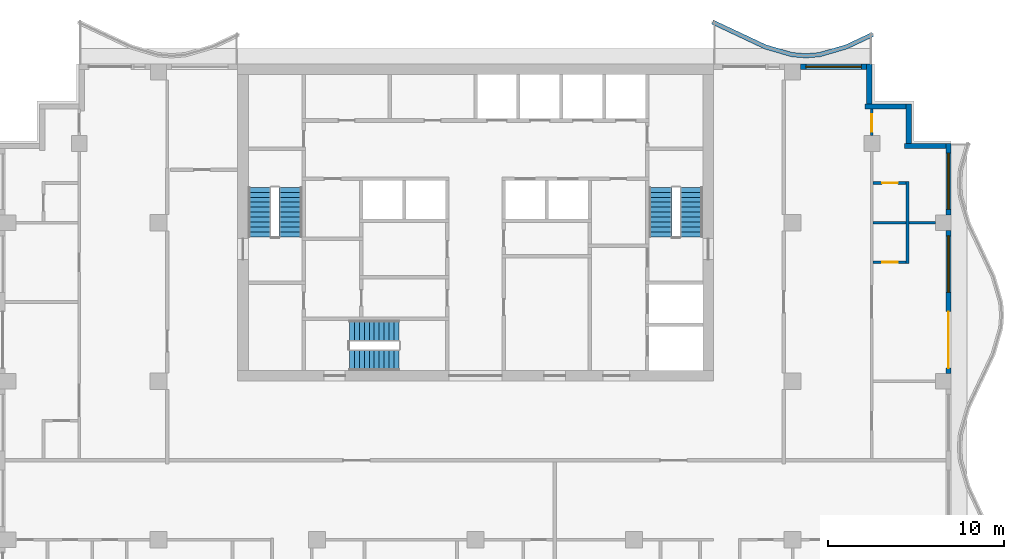
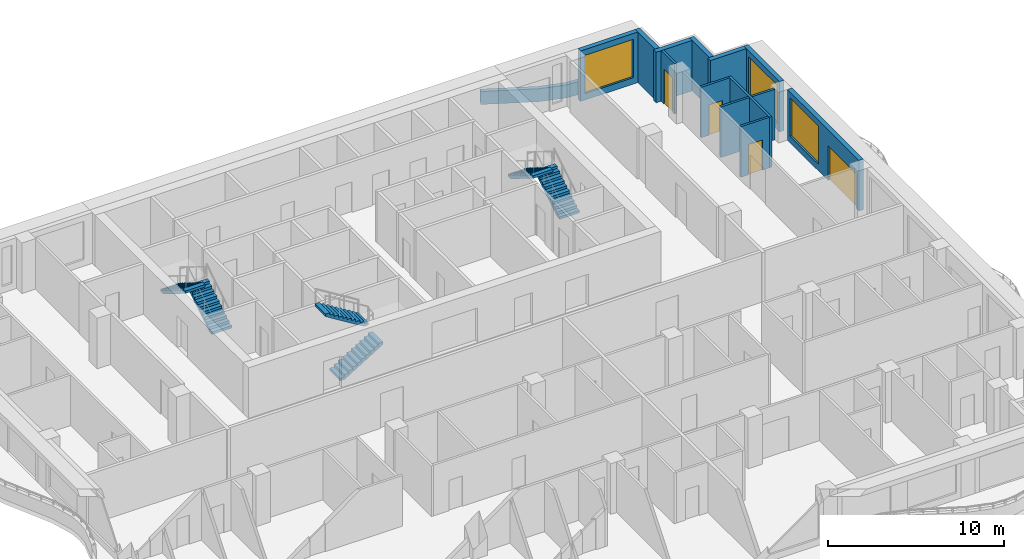
# One storey, part 7 of 11: 14 walls, 6 stair flights, 4 doors, 3 windows, 7 openings, 3 elements without a shape of their own.
"""IFC4 building model written with IfcOpenShell, lengths in metres."""

from ifc_helpers import new_model, si_unit, direction, frame, frame_2d, origin, place, context, subcontext, project, spatial, polyline, rectangle, outline, extrude, material, layer, layer_set, type_object, element, fill, aggregate, save


model = new_model("IFC4")

# Units and contexts
model_context = context("Model", 3, precision=1e-05, world=origin(), true_north=direction((0.0, 1.0)))
body_context = subcontext(model_context, "Body", "Model", "MODEL_VIEW")
ifc_project = project(units=[si_unit("LENGTHUNIT", "METRE"), si_unit("AREAUNIT", "SQUARE_METRE"), si_unit("VOLUMEUNIT", "CUBIC_METRE"), si_unit("PLANEANGLEUNIT", "RADIAN"), si_unit("MASSUNIT", "GRAM", prefix="KILO")], contexts=[model_context])

# Site, building, storey
site_placement = place(None, origin())
site = spatial("IfcSite", under=ifc_project, at=site_placement, CompositionType="ELEMENT")
building_placement = place(site_placement, origin())
building = spatial("IfcBuilding", under=site, at=building_placement, Name="Orbiselva Terraces", CompositionType="ELEMENT")
storey_placement = place(building_placement, frame((0.0, 0.0, 257.8)))
storey = spatial("IfcBuildingStorey", under=building, at=storey_placement, Name="L65", CompositionType="ELEMENT", Elevation=257.8)

# Wall
ifc_material_1 = material(Name="Concrete C40/50", Category="concrete")
ifc_layer_1 = layer(ifc_material_1, 0.25)
ifc_layer_set_1 = layer_set([ifc_layer_1], Name="Concrete C40/50")
wall_type_1 = type_object("IfcWallType", Name="ENV-PLANTER-250x900", PredefinedType="USERDEFINED", material=ifc_layer_set_1)
wall_1_placement = place(storey_placement, origin())
element("IfcWall", 1, at=wall_1_placement, inside=storey, type_object=wall_type_1, Name="Balcony planter L65 NE", ObjectType="PLANTER", PredefinedType="USERDEFINED", context=body_context, shape_type="SweptSolid", body=[
    extrude(outline(polyline([(22.5, 24.3), (21.0, 23.594658), (19.5, 23.158732), (18.75, 23.1), (18.0, 23.158732), (16.5, 23.594658), (15.0, 24.3), (13.5, 25.005342), (13.393617, 24.779106), (14.893617, 24.073764), (16.411382, 23.360069), (17.954886, 22.911499), (18.75, 22.849235), (19.545114, 22.911499), (21.088618, 23.360069), (22.606383, 24.073764), (22.5, 24.3)])), origin(), (0.0, 0.0, 1.0), 0.9),
])

# Wall, openings, door, window
ifc_material_2 = material(Name="Terracotta cladding on masonry backing", Category="masonry")
ifc_layer_2 = layer(ifc_material_2, 0.3)
ifc_layer_set_2 = layer_set([ifc_layer_2], Name="Terracotta cladding on masonry backing")
wall_type_2 = type_object("IfcWallType", Name="ENV-WALL-TERRACOTTA-300", PredefinedType="SOLIDWALL", material=ifc_layer_set_2)
wall_2_placement = place(storey_placement, frame((26.85, 13.05, 0.0), z_axis=(0.0, 0.0, 1.0), x_axis=(0.0, -1.0, 0.0)))
wall_2 = element("IfcWall", 2, at=wall_2_placement, inside=storey, type_object=wall_type_2, Name="Facade wall L65 E", PredefinedType="SOLIDWALL", context=body_context, shape_type="SweptSolid", body=[
    extrude(rectangle(XDim=8.1, YDim=0.3, at=frame_2d((4.05, 0.0))), origin(), (0.0, 0.0, 1.0), 3.5),
])
opening_1_placement = place(wall_2_placement, frame((4.6, 0.0, 0.0)))
opening_1 = element("IfcOpeningElement", 3, at=opening_1_placement, cuts=wall_2, Name="Opening Z5-B-E19", PredefinedType="OPENING", context=body_context, shape_type="SweptSolid", body=[
    extrude(rectangle(XDim=3.2, YDim=2.4, at=frame_2d((1.6, 1.2))), frame((0.0, 0.16, 0.0), z_axis=(0.0, -1.0, 0.0), x_axis=(1.0, 0.0, 0.0)), (0.0, 0.0, 1.0), 0.32),
])
opening_2_placement = place(wall_2_placement, frame((0.3, 0.0, 0.45)))
opening_2 = element("IfcOpeningElement", 4, at=opening_2_placement, cuts=wall_2, Name="Opening WN17", PredefinedType="OPENING", context=body_context, shape_type="SweptSolid", body=[
    extrude(rectangle(XDim=3.2, YDim=2.65, at=frame_2d((1.6, 1.325))), frame((0.0, 0.16, 0.0), z_axis=(0.0, -1.0, 0.0), x_axis=(1.0, 0.0, 0.0)), (0.0, 0.0, 1.0), 0.32),
])
ifc_material_3 = material(Name="Clear low-e glazing in aluminium frame", Category="aluminium")
door_type_1 = type_object("IfcDoorType", Name="BALCONY DOOR 3200 X 2400", OperationType="DOUBLE_DOOR_SLIDING", PredefinedType="DOOR", material=ifc_material_3)
door_1_placement = place(opening_1_placement, origin())
door_1 = element("IfcDoor", 5, at=door_1_placement, inside=storey, type_object=door_type_1, Name="Z5-B-E19", OperationType="SINGLE_SWING_LEFT", OverallHeight=2.4, OverallWidth=3.2, PredefinedType="DOOR", context=body_context, shape_type="SweptSolid", body=[
    extrude(rectangle(XDim=3.2, YDim=2.4, at=frame_2d((1.6, 1.2))), frame((0.0, 0.025, 0.0), z_axis=(0.0, -1.0, 0.0), x_axis=(1.0, 0.0, 0.0)), (0.0, 0.0, 1.0), 0.05),
])
fill(opening_1, door_1)
window_type_1 = type_object("IfcWindowType", Name="WINDOW 3200 X 2650 S450", PartitioningType="TRIPLE_PANEL_VERTICAL", PredefinedType="WINDOW", material=ifc_material_3)
window_1_placement = place(opening_2_placement, origin())
window_1 = element("IfcWindow", 6, at=window_1_placement, inside=storey, type_object=window_type_1, Name="Window L65 E", OverallHeight=2.65, OverallWidth=3.2, PartitioningType="SINGLE_PANEL", PredefinedType="WINDOW", context=body_context, shape_type="SweptSolid", body=[
    extrude(rectangle(XDim=3.2, YDim=2.65, at=frame_2d((1.6, 1.325))), frame((0.0, 0.03, 0.0), z_axis=(0.0, -1.0, 0.0), x_axis=(1.0, 0.0, 0.0)), (0.0, 0.0, 1.0), 0.06),
])
fill(opening_2, window_1)

# Wall, opening, window
wall_3_placement = place(storey_placement, frame((26.85, 18.0, 0.0), z_axis=(0.0, 0.0, 1.0), x_axis=(0.0, -1.0, 0.0)))
wall_3 = element("IfcWall", 7, at=wall_3_placement, inside=storey, type_object=wall_type_2, Name="Facade wall L65 E", PredefinedType="SOLIDWALL", context=body_context, shape_type="SweptSolid", body=[
    extrude(rectangle(XDim=4.05, YDim=0.3, at=frame_2d((2.025, 0.0))), origin(), (0.0, 0.0, 1.0), 3.5),
])
opening_3_placement = place(wall_3_placement, frame((0.55, 0.0, 0.45)))
opening_3 = element("IfcOpeningElement", 8, at=opening_3_placement, cuts=wall_3, Name="Opening WN17", PredefinedType="OPENING", context=body_context, shape_type="SweptSolid", body=[
    extrude(rectangle(XDim=3.2, YDim=2.65, at=frame_2d((1.6, 1.325))), frame((0.0, 0.16, 0.0), z_axis=(0.0, -1.0, 0.0), x_axis=(1.0, 0.0, 0.0)), (0.0, 0.0, 1.0), 0.32),
])
window_2_placement = place(opening_3_placement, origin())
window_2 = element("IfcWindow", 9, at=window_2_placement, inside=storey, type_object=window_type_1, Name="Window L65 E", OverallHeight=2.65, OverallWidth=3.2, PartitioningType="SINGLE_PANEL", PredefinedType="WINDOW", context=body_context, shape_type="SweptSolid", body=[
    extrude(rectangle(XDim=3.2, YDim=2.65, at=frame_2d((1.6, 1.325))), frame((0.0, 0.03, 0.0), z_axis=(0.0, -1.0, 0.0), x_axis=(1.0, 0.0, 0.0)), (0.0, 0.0, 1.0), 0.06),
])
fill(opening_3, window_2)

# Walls
wall_4_placement = place(storey_placement, frame((24.35, 17.85, 0.0), z_axis=(0.0, 0.0, 1.0), x_axis=(1.0, 0.0, 0.0)))
element("IfcWall", 10, at=wall_4_placement, inside=storey, type_object=wall_type_2, Name="Facade wall L65 STEP", PredefinedType="SOLIDWALL", context=body_context, shape_type="SweptSolid", body=[
    extrude(rectangle(XDim=2.35, YDim=0.3, at=frame_2d((1.175, 0.0))), origin(), (0.0, 0.0, 1.0), 3.5),
])
wall_5_placement = place(storey_placement, frame((24.6, 20.25, 0.0), z_axis=(0.0, 0.0, 1.0), x_axis=(0.0, -1.0, 0.0)))
element("IfcWall", 11, at=wall_5_placement, inside=storey, type_object=wall_type_2, Name="Facade wall L65 STEP", PredefinedType="SOLIDWALL", context=body_context, shape_type="SweptSolid", body=[
    extrude(rectangle(XDim=2.25, YDim=0.3, at=frame_2d((1.125, 0.0))), origin(), (0.0, 0.0, 1.0), 3.5),
])
wall_6_placement = place(storey_placement, frame((22.1, 20.1, 0.0), z_axis=(0.0, 0.0, 1.0), x_axis=(1.0, 0.0, 0.0)))
element("IfcWall", 12, at=wall_6_placement, inside=storey, type_object=wall_type_2, Name="Facade wall L65 STEP", PredefinedType="SOLIDWALL", context=body_context, shape_type="SweptSolid", body=[
    extrude(rectangle(XDim=2.35, YDim=0.3, at=frame_2d((1.175, 0.0))), origin(), (0.0, 0.0, 1.0), 3.5),
])
wall_7_placement = place(storey_placement, frame((22.35, 22.5, 0.0), z_axis=(0.0, 0.0, 1.0), x_axis=(0.0, -1.0, 0.0)))
element("IfcWall", 13, at=wall_7_placement, inside=storey, type_object=wall_type_2, Name="Facade wall L65 STEP", PredefinedType="SOLIDWALL", context=body_context, shape_type="SweptSolid", body=[
    extrude(rectangle(XDim=2.25, YDim=0.3, at=frame_2d((1.125, 0.0))), origin(), (0.0, 0.0, 1.0), 3.5),
])

# Wall, opening, window
wall_8_placement = place(storey_placement, frame((18.45, 22.35, 0.0), z_axis=(0.0, 0.0, 1.0), x_axis=(1.0, 0.0, 0.0)))
wall_8 = element("IfcWall", 14, at=wall_8_placement, inside=storey, type_object=wall_type_2, Name="Facade wall L65 NE", PredefinedType="SOLIDWALL", context=body_context, shape_type="SweptSolid", body=[
    extrude(rectangle(XDim=3.75, YDim=0.3, at=frame_2d((1.875, 0.0))), origin(), (0.0, 0.0, 1.0), 3.5),
])
opening_4_placement = place(wall_8_placement, frame((0.3, 0.0, 0.45)))
opening_4 = element("IfcOpeningElement", 15, at=opening_4_placement, cuts=wall_8, Name="Opening WN16", PredefinedType="OPENING", context=body_context, shape_type="SweptSolid", body=[
    extrude(rectangle(XDim=3.15, YDim=2.65, at=frame_2d((1.575, 1.325))), frame((0.0, 0.16, 0.0), z_axis=(0.0, -1.0, 0.0), x_axis=(1.0, 0.0, 0.0)), (0.0, 0.0, 1.0), 0.32),
])
window_type_2 = type_object("IfcWindowType", Name="WINDOW 3150 X 2650 S450", PartitioningType="TRIPLE_PANEL_VERTICAL", PredefinedType="WINDOW", material=ifc_material_3)
window_3_placement = place(opening_4_placement, origin())
window_3 = element("IfcWindow", 16, at=window_3_placement, inside=storey, type_object=window_type_2, Name="Window L65 NE", OverallHeight=2.65, OverallWidth=3.15, PartitioningType="SINGLE_PANEL", PredefinedType="WINDOW", context=body_context, shape_type="SweptSolid", body=[
    extrude(rectangle(XDim=3.15, YDim=2.65, at=frame_2d((1.575, 1.325))), frame((0.0, 0.03, 0.0), z_axis=(0.0, -1.0, 0.0), x_axis=(1.0, 0.0, 0.0)), (0.0, 0.0, 1.0), 0.06),
])
fill(opening_4, window_3)

# Wall, opening, door
ifc_material_4 = material(Name="Plasterboard on steel stud partition", Category="steel")
ifc_layer_3 = layer(ifc_material_4, 0.15)
ifc_layer_set_3 = layer_set([ifc_layer_3], Name="Plasterboard on steel stud partition")
wall_type_3 = type_object("IfcWallType", Name="UNIT-PARTITION-150", PredefinedType="PARTITIONING", material=ifc_layer_set_3)
wall_9_placement = place(storey_placement, frame((22.575, 11.25, 0.0), z_axis=(0.0, 0.0, 1.0), x_axis=(1.0, 0.0, 0.0)))
wall_9 = element("IfcWall", 17, at=wall_9_placement, inside=storey, type_object=wall_type_3, Name="PARTITION L65-032", PredefinedType="PARTITIONING", context=body_context, shape_type="SweptSolid", body=[
    extrude(rectangle(XDim=1.875, YDim=0.15, at=frame_2d((0.9375, 0.0))), origin(), (0.0, 0.0, 1.0), 3.5),
])
opening_5_placement = place(wall_9_placement, frame((0.5, 0.0, 0.0)))
opening_5 = element("IfcOpeningElement", 18, at=opening_5_placement, cuts=wall_9, Name="Opening Z5-B-11", PredefinedType="OPENING", context=body_context, shape_type="SweptSolid", body=[
    extrude(rectangle(XDim=0.9, YDim=2.1, at=frame_2d((0.45, 1.05))), frame((0.0, 0.085, 0.0), z_axis=(0.0, -1.0, 0.0), x_axis=(1.0, 0.0, 0.0)), (0.0, 0.0, 1.0), 0.17),
])
ifc_material_5 = material(Name="Painted timber door leaf", Category="wood")
door_type_2 = type_object("IfcDoorType", Name="BATH DOOR 900", OperationType="NOTDEFINED", PredefinedType="DOOR", material=ifc_material_5)
door_2_placement = place(opening_5_placement, origin())
door_2 = element("IfcDoor", 19, at=door_2_placement, inside=storey, type_object=door_type_2, Name="Z5-B-11", OperationType="SINGLE_SWING_RIGHT", OverallHeight=2.1, OverallWidth=0.9, PredefinedType="DOOR", context=body_context, shape_type="SweptSolid", body=[
    extrude(rectangle(XDim=0.9, YDim=2.1, at=frame_2d((0.45, 1.05))), frame((0.0, 0.025, 0.0), z_axis=(0.0, -1.0, 0.0), x_axis=(1.0, 0.0, 0.0)), (0.0, 0.0, 1.0), 0.05),
])
fill(opening_5, door_2)

# Walls
wall_10_placement = place(storey_placement, frame((22.575, 13.5, 0.0), z_axis=(0.0, 0.0, 1.0), x_axis=(1.0, 0.0, 0.0)))
element("IfcWall", 20, at=wall_10_placement, inside=storey, type_object=wall_type_3, Name="PARTITION L65-034", PredefinedType="PARTITIONING", context=body_context, shape_type="SweptSolid", body=[
    extrude(rectangle(XDim=1.875, YDim=0.15, at=frame_2d((0.9375, 0.0))), origin(), (0.0, 0.0, 1.0), 3.5),
])
wall_11_placement = place(storey_placement, frame((24.6, 13.5, 0.0), z_axis=(0.0, 0.0, 1.0), x_axis=(1.0, 0.0, 0.0)))
element("IfcWall", 21, at=wall_11_placement, inside=storey, type_object=wall_type_3, Name="PARTITION L65-035", PredefinedType="PARTITIONING", context=body_context, shape_type="SweptSolid", body=[
    extrude(rectangle(XDim=1.5, YDim=0.15, at=frame_2d((0.75, 0.0))), origin(), (0.0, 0.0, 1.0), 3.5),
])

# Wall, opening, door
wall_12_placement = place(storey_placement, frame((24.45, 15.75, 0.0), z_axis=(0.0, 0.0, 1.0), x_axis=(-1.0, 0.0, 0.0)))
wall_12 = element("IfcWall", 22, at=wall_12_placement, inside=storey, type_object=wall_type_3, Name="PARTITION L65-037", PredefinedType="PARTITIONING", context=body_context, shape_type="SweptSolid", body=[
    extrude(rectangle(XDim=1.875, YDim=0.15, at=frame_2d((0.9375, 0.0))), origin(), (0.0, 0.0, 1.0), 3.5),
])
opening_6_placement = place(wall_12_placement, frame((0.475, 0.0, 0.0)))
opening_6 = element("IfcOpeningElement", 23, at=opening_6_placement, cuts=wall_12, Name="Opening Z5-B-13", PredefinedType="OPENING", context=body_context, shape_type="SweptSolid", body=[
    extrude(rectangle(XDim=0.9, YDim=2.1, at=frame_2d((0.45, 1.05))), frame((0.0, 0.085, 0.0), z_axis=(0.0, -1.0, 0.0), x_axis=(1.0, 0.0, 0.0)), (0.0, 0.0, 1.0), 0.17),
])
door_3_placement = place(opening_6_placement, origin())
door_3 = element("IfcDoor", 24, at=door_3_placement, inside=storey, type_object=door_type_2, Name="Z5-B-13", OperationType="SINGLE_SWING_LEFT", OverallHeight=2.1, OverallWidth=0.9, PredefinedType="DOOR", context=body_context, shape_type="SweptSolid", body=[
    extrude(rectangle(XDim=0.9, YDim=2.1, at=frame_2d((0.45, 1.05))), frame((0.0, 0.025, 0.0), z_axis=(0.0, -1.0, 0.0), x_axis=(1.0, 0.0, 0.0)), (0.0, 0.0, 1.0), 0.05),
])
fill(opening_6, door_3)

wall_13_placement = place(storey_placement, frame((22.5, 19.95, 0.0), z_axis=(0.0, 0.0, 1.0), x_axis=(0.0, -1.0, 0.0)))
wall_13 = element("IfcWall", 25, at=wall_13_placement, inside=storey, type_object=wall_type_3, Name="PARTITION L65-081", PredefinedType="PARTITIONING", context=body_context, shape_type="SweptSolid", body=[
    extrude(rectangle(XDim=1.5, YDim=0.15, at=frame_2d((0.75, 0.0))), origin(), (0.0, 0.0, 1.0), 3.5),
])
opening_7_placement = place(wall_13_placement, frame((0.3, 0.0, 0.0)))
opening_7 = element("IfcOpeningElement", 26, at=opening_7_placement, cuts=wall_13, Name="Opening Z5-B-12", PredefinedType="OPENING", context=body_context, shape_type="SweptSolid", body=[
    extrude(rectangle(XDim=1.0, YDim=2.4, at=frame_2d((0.5, 1.2))), frame((0.0, 0.085, 0.0), z_axis=(0.0, -1.0, 0.0), x_axis=(1.0, 0.0, 0.0)), (0.0, 0.0, 1.0), 0.17),
])
door_type_3 = type_object("IfcDoorType", Name="ROOM DOOR 1000", OperationType="NOTDEFINED", PredefinedType="DOOR", material=ifc_material_5)
door_4_placement = place(opening_7_placement, origin())
door_4 = element("IfcDoor", 27, at=door_4_placement, inside=storey, type_object=door_type_3, Name="Z5-B-12", OperationType="SINGLE_SWING_RIGHT", OverallHeight=2.4, OverallWidth=1.0, PredefinedType="DOOR", context=body_context, shape_type="SweptSolid", body=[
    extrude(rectangle(XDim=1.0, YDim=2.4, at=frame_2d((0.5, 1.2))), frame((0.0, 0.025, 0.0), z_axis=(0.0, -1.0, 0.0), x_axis=(1.0, 0.0, 0.0)), (0.0, 0.0, 1.0), 0.05),
])
fill(opening_7, door_4)

# Wall
wall_14_placement = place(storey_placement, frame((24.525, 11.175, 0.0), z_axis=(0.0, 0.0, 1.0), x_axis=(0.0, 1.0, 0.0)))
element("IfcWall", 28, at=wall_14_placement, inside=storey, type_object=wall_type_3, Name="PARTITION L65-083", PredefinedType="PARTITIONING", context=body_context, shape_type="SweptSolid", body=[
    extrude(rectangle(XDim=4.65, YDim=0.15, at=frame_2d((2.325, 0.0))), origin(), (0.0, 0.0, 1.0), 3.5),
])

# Stair, stair flights
stair_type_1 = type_object("IfcStairType", Name="CORE-STAIR-1200", PredefinedType="HALF_TURN_STAIR", material=ifc_material_1)
stair_1_placement = place(storey_placement, origin())
stair_1 = element("IfcStair", 29, at=stair_1_placement, inside=storey, type_object=stair_type_1, Name="L65 Exit Stair S3", PredefinedType="HALF_TURN_STAIR")
stair_flight_type_1 = type_object("IfcStairFlightType", Name="CORE-STAIR-FLIGHT-1200", PredefinedType="STRAIGHT", material=ifc_material_1)
stair_flight_1_placement = place(storey_placement, frame((-7.15, 5.7, 0.0), z_axis=(0.0, 0.0, 1.0), x_axis=(1.0, 0.0, 0.0)))
stair_flight_1 = element("IfcStairFlight", 30, at=stair_flight_1_placement, type_object=stair_flight_type_1, Name="S3 flight 1", NumberOfRisers=11, NumberOfTreads=10, PredefinedType="STRAIGHT", RiserHeight=0.172727273, TreadLength=0.28, context=body_context, shape_type="SweptSolid", body=[
    extrude(outline(polyline([(0.0, 0.0), (0.0, 0.172727), (0.28, 0.172727), (0.28, 0.345455), (0.56, 0.345455), (0.56, 0.518182), (0.84, 0.518182), (0.84, 0.690909), (1.12, 0.690909), (1.12, 0.863636), (1.4, 0.863636), (1.4, 1.036364), (1.68, 1.036364), (1.68, 1.209091), (1.96, 1.209091), (1.96, 1.381818), (2.24, 1.381818), (2.24, 1.554545), (2.52, 1.554545), (2.52, 1.727273), (2.8, 1.727273), (2.8, 1.9), (2.8, 1.551028), (0.285702, 0.0), (0.0, 0.0)])), frame((0.0, 0.6, 0.0), z_axis=(0.0, -1.0, 0.0), x_axis=(1.0, 0.0, 0.0)), (0.0, 0.0, 1.0), 1.2),
])
stair_flight_2_placement = place(storey_placement, frame((-4.35, 7.35, 1.9), z_axis=(0.0, 0.0, 1.0), x_axis=(-1.0, 0.0, 0.0)))
stair_flight_2 = element("IfcStairFlight", 31, at=stair_flight_2_placement, type_object=stair_flight_type_1, Name="S3 flight 2", NumberOfRisers=11, NumberOfTreads=10, PredefinedType="STRAIGHT", RiserHeight=0.172727273, TreadLength=0.28, context=body_context, shape_type="SweptSolid", body=[
    extrude(outline(polyline([(0.0, 0.0), (0.0, 0.172727), (0.28, 0.172727), (0.28, 0.345455), (0.56, 0.345455), (0.56, 0.518182), (0.84, 0.518182), (0.84, 0.690909), (1.12, 0.690909), (1.12, 0.863636), (1.4, 0.863636), (1.4, 1.036364), (1.68, 1.036364), (1.68, 1.209091), (1.96, 1.209091), (1.96, 1.381818), (2.24, 1.381818), (2.24, 1.554545), (2.52, 1.554545), (2.52, 1.727273), (2.8, 1.727273), (2.8, 1.9), (2.8, 1.551028), (0.285702, 0.0), (0.0, 0.0)])), frame((0.0, 0.6, 0.0), z_axis=(0.0, -1.0, 0.0), x_axis=(1.0, 0.0, 0.0)), (0.0, 0.0, 1.0), 1.2),
])
aggregate(stair_1, [stair_flight_1, stair_flight_2])

stair_type_2 = type_object("IfcStairType", Name="CORE-STAIR-1300", PredefinedType="HALF_TURN_STAIR", material=ifc_material_1)
stair_2_placement = place(storey_placement, origin())
stair_2 = element("IfcStair", 32, at=stair_2_placement, inside=storey, type_object=stair_type_2, Name="L65 Exit Stair S1", PredefinedType="HALF_TURN_STAIR")
stair_flight_type_2 = type_object("IfcStairFlightType", Name="CORE-STAIR-FLIGHT-1300", PredefinedType="STRAIGHT", material=ifc_material_1)
stair_flight_3_placement = place(storey_placement, frame((-10.5, 12.7, 0.0), z_axis=(0.0, 0.0, 1.0), x_axis=(0.0, 1.0, 0.0)))
stair_flight_3 = element("IfcStairFlight", 33, at=stair_flight_3_placement, type_object=stair_flight_type_2, Name="S1 flight 1", NumberOfRisers=11, NumberOfTreads=10, PredefinedType="STRAIGHT", RiserHeight=0.172727273, TreadLength=0.28, context=body_context, shape_type="SweptSolid", body=[
    extrude(outline(polyline([(0.0, 0.0), (0.0, 0.172727), (0.28, 0.172727), (0.28, 0.345455), (0.56, 0.345455), (0.56, 0.518182), (0.84, 0.518182), (0.84, 0.690909), (1.12, 0.690909), (1.12, 0.863636), (1.4, 0.863636), (1.4, 1.036364), (1.68, 1.036364), (1.68, 1.209091), (1.96, 1.209091), (1.96, 1.381818), (2.24, 1.381818), (2.24, 1.554545), (2.52, 1.554545), (2.52, 1.727273), (2.8, 1.727273), (2.8, 1.9), (2.8, 1.551028), (0.285702, 0.0), (0.0, 0.0)])), frame((0.0, 0.65, 0.0), z_axis=(0.0, -1.0, 0.0), x_axis=(1.0, 0.0, 0.0)), (0.0, 0.0, 1.0), 1.3),
])
stair_flight_4_placement = place(storey_placement, frame((-12.25, 15.5, 1.9), z_axis=(0.0, 0.0, 1.0), x_axis=(0.0, -1.0, 0.0)))
stair_flight_4 = element("IfcStairFlight", 34, at=stair_flight_4_placement, type_object=stair_flight_type_2, Name="S1 flight 2", NumberOfRisers=11, NumberOfTreads=10, PredefinedType="STRAIGHT", RiserHeight=0.172727273, TreadLength=0.28, context=body_context, shape_type="SweptSolid", body=[
    extrude(outline(polyline([(0.0, 0.0), (0.0, 0.172727), (0.28, 0.172727), (0.28, 0.345455), (0.56, 0.345455), (0.56, 0.518182), (0.84, 0.518182), (0.84, 0.690909), (1.12, 0.690909), (1.12, 0.863636), (1.4, 0.863636), (1.4, 1.036364), (1.68, 1.036364), (1.68, 1.209091), (1.96, 1.209091), (1.96, 1.381818), (2.24, 1.381818), (2.24, 1.554545), (2.52, 1.554545), (2.52, 1.727273), (2.8, 1.727273), (2.8, 1.9), (2.8, 1.551028), (0.285702, 0.0), (0.0, 0.0)])), frame((0.0, 0.65, 0.0), z_axis=(0.0, -1.0, 0.0), x_axis=(1.0, 0.0, 0.0)), (0.0, 0.0, 1.0), 1.3),
])
aggregate(stair_2, [stair_flight_3, stair_flight_4])

stair_3_placement = place(storey_placement, origin())
stair_3 = element("IfcStair", 35, at=stair_3_placement, inside=storey, type_object=stair_type_2, Name="L65 Exit Stair S2", PredefinedType="HALF_TURN_STAIR")
stair_flight_5_placement = place(storey_placement, frame((12.25, 12.7, 0.0), z_axis=(0.0, 0.0, 1.0), x_axis=(0.0, 1.0, 0.0)))
stair_flight_5 = element("IfcStairFlight", 36, at=stair_flight_5_placement, type_object=stair_flight_type_2, Name="S2 flight 1", NumberOfRisers=11, NumberOfTreads=10, PredefinedType="STRAIGHT", RiserHeight=0.172727273, TreadLength=0.28, context=body_context, shape_type="SweptSolid", body=[
    extrude(outline(polyline([(0.0, 0.0), (0.0, 0.172727), (0.28, 0.172727), (0.28, 0.345455), (0.56, 0.345455), (0.56, 0.518182), (0.84, 0.518182), (0.84, 0.690909), (1.12, 0.690909), (1.12, 0.863636), (1.4, 0.863636), (1.4, 1.036364), (1.68, 1.036364), (1.68, 1.209091), (1.96, 1.209091), (1.96, 1.381818), (2.24, 1.381818), (2.24, 1.554545), (2.52, 1.554545), (2.52, 1.727273), (2.8, 1.727273), (2.8, 1.9), (2.8, 1.551028), (0.285702, 0.0), (0.0, 0.0)])), frame((0.0, 0.65, 0.0), z_axis=(0.0, -1.0, 0.0), x_axis=(1.0, 0.0, 0.0)), (0.0, 0.0, 1.0), 1.3),
])
stair_flight_6_placement = place(storey_placement, frame((10.5, 15.5, 1.9), z_axis=(0.0, 0.0, 1.0), x_axis=(0.0, -1.0, 0.0)))
stair_flight_6 = element("IfcStairFlight", 37, at=stair_flight_6_placement, type_object=stair_flight_type_2, Name="S2 flight 2", NumberOfRisers=11, NumberOfTreads=10, PredefinedType="STRAIGHT", RiserHeight=0.172727273, TreadLength=0.28, context=body_context, shape_type="SweptSolid", body=[
    extrude(outline(polyline([(0.0, 0.0), (0.0, 0.172727), (0.28, 0.172727), (0.28, 0.345455), (0.56, 0.345455), (0.56, 0.518182), (0.84, 0.518182), (0.84, 0.690909), (1.12, 0.690909), (1.12, 0.863636), (1.4, 0.863636), (1.4, 1.036364), (1.68, 1.036364), (1.68, 1.209091), (1.96, 1.209091), (1.96, 1.381818), (2.24, 1.381818), (2.24, 1.554545), (2.52, 1.554545), (2.52, 1.727273), (2.8, 1.727273), (2.8, 1.9), (2.8, 1.551028), (0.285702, 0.0), (0.0, 0.0)])), frame((0.0, 0.65, 0.0), z_axis=(0.0, -1.0, 0.0), x_axis=(1.0, 0.0, 0.0)), (0.0, 0.0, 1.0), 1.3),
])
aggregate(stair_3, [stair_flight_5, stair_flight_6])

save(model, "model.ifc")
